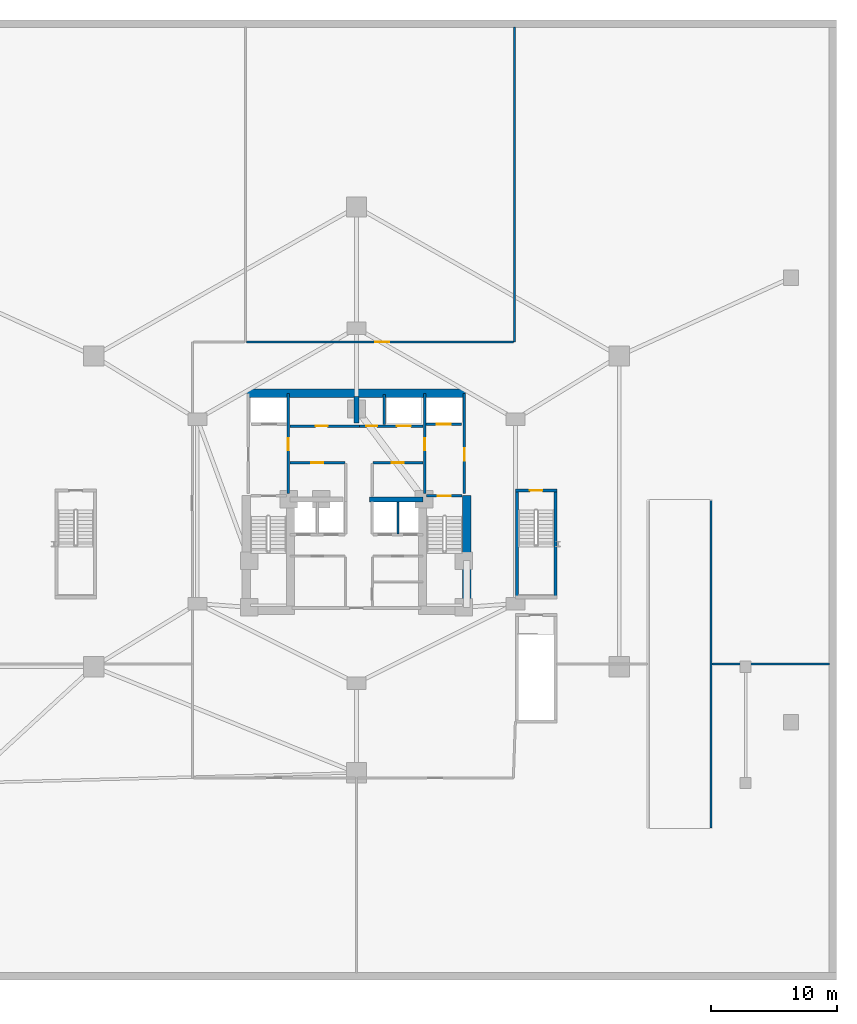
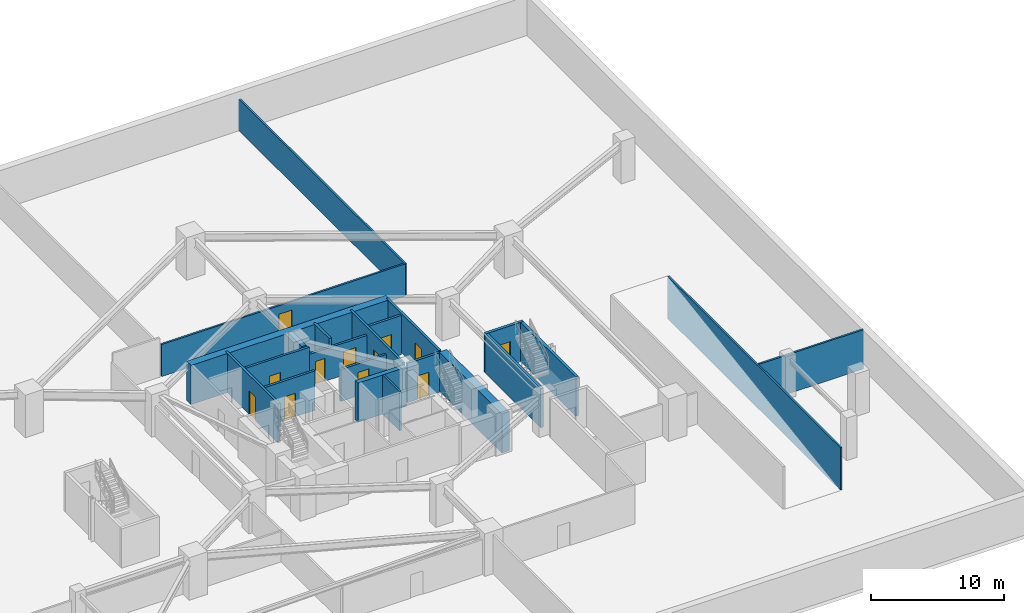
# One storey, part 8 of 10: 22 walls, 12 doors, 12 openings.
"""IFC4 building model written with IfcOpenShell, lengths in metres."""

from ifc_helpers import new_model, si_unit, direction, frame, frame_2d, origin, place, context, subcontext, project, spatial, rectangle, extrude, material, layer, layer_set, type_object, element, fill, save


model = new_model("IFC4")

# Units and contexts
model_context = context("Model", 3, precision=1e-05, world=origin(), true_north=direction((0.0, 1.0)))
body_context = subcontext(model_context, "Body", "Model", "MODEL_VIEW")
ifc_project = project(units=[si_unit("LENGTHUNIT", "METRE"), si_unit("AREAUNIT", "SQUARE_METRE"), si_unit("VOLUMEUNIT", "CUBIC_METRE"), si_unit("PLANEANGLEUNIT", "RADIAN"), si_unit("MASSUNIT", "GRAM", prefix="KILO")], contexts=[model_context])

# Site, building, storey
site_placement = place(None, origin())
site = spatial("IfcSite", under=ifc_project, at=site_placement, CompositionType="ELEMENT")
building_placement = place(site_placement, origin())
building = spatial("IfcBuilding", under=site, at=building_placement, Name="Miruveldt Soraemaru", CompositionType="ELEMENT")
storey_placement = place(building_placement, frame((0.0, 0.0, -3.89990234375)))
storey = spatial("IfcBuildingStorey", under=building, at=storey_placement, Name="B1", CompositionType="ELEMENT", Elevation=-3.89990234375)

# Walls
ifc_material_1 = material(Name="Concrete C70/85 (70 MPa)", Category="concrete")
ifc_layer_1 = layer(ifc_material_1, 0.5, Name="Concrete C70/85 (70 MPa)", Category="concrete")
ifc_layer_set_1 = layer_set([ifc_layer_1], Name="Concrete C70/85 (70 MPa)")
wall_type_1 = type_object("IfcWallType", Name="WALL-BW-500", PredefinedType="SHEAR", material=ifc_layer_set_1)
wall_1_placement = place(storey_placement, frame((44.0, 50.10009765625, 0.0), z_axis=(0.0, 0.0, 1.0), x_axis=(0.0, 1.0, 0.0)))
element("IfcWall", 1, at=wall_1_placement, inside=storey, type_object=wall_type_1, Name="B1 Core Buttress Shear Wall BN", PredefinedType="SHEAR", context=body_context, shape_type="SweptSolid", body=[
    extrude(rectangle(XDim=2.099853515625, YDim=0.39990234375, at=frame_2d((1.0498046875, 0.0))), origin(), (0.0, 0.0, 1.0), 3.599853515625),
])
wall_2_placement = place(storey_placement, frame((45.050048828125, 44.050048828125, 0.0), z_axis=(0.0, 0.0, 1.0), x_axis=(1.0, 0.0, 0.0)))
element("IfcWall", 2, at=wall_2_placement, inside=storey, type_object=wall_type_1, Name="B1 Core Buttress Shear Wall BE", PredefinedType="SHEAR", context=body_context, shape_type="SweptSolid", body=[
    extrude(rectangle(XDim=4.199951171875, YDim=0.39990234375, at=frame_2d((2.10009765625, 0.0))), origin(), (0.0, 0.0, 1.0), 3.599853515625),
])
ifc_material_2 = material(Name="Concrete C50/60 (50 MPa)", Category="concrete")
ifc_layer_2 = layer(ifc_material_2, 0.419921875, Name="Concrete C50/60 (50 MPa)", Category="concrete")
ifc_layer_set_2 = layer_set([ifc_layer_2], Name="Concrete C50/60 (50 MPa)")
wall_type_2 = type_object("IfcWallType", Name="WALL-CW-420", PredefinedType="SHEAR", material=ifc_layer_set_2)
wall_3_placement = place(storey_placement, frame((72.080078125, 18.02001953125, 0.0), z_axis=(0.0, 0.0, 1.0), x_axis=(0.0, 1.0, 0.0)))
element("IfcWall", 3, at=wall_3_placement, inside=storey, type_object=wall_type_2, Name="B1 Car Park Ramp Shaft Structural Side Wall E", PredefinedType="SHEAR", context=body_context, shape_type="SweptSolid", body=[
    extrude(rectangle(XDim=25.9599609375, YDim=0.159912109375, at=frame_2d((12.97998046875, 0.0))), origin(), (0.0, 0.0, 1.0), 3.89990234375),
])

# Wall, opening, door
wall_4_placement = place(storey_placement, frame((56.580078125, 44.75, 0.0), z_axis=(0.0, 0.0, 1.0), x_axis=(1.0, 0.0, 0.0)))
wall_4 = element("IfcWall", 4, at=wall_4_placement, inside=storey, type_object=wall_type_2, Name="B1 Podium Garden Feature Stair ST-4 Structural Shaft Wall N", PredefinedType="SHEAR", context=body_context, shape_type="SweptSolid", body=[
    extrude(rectangle(XDim=3.2900390625, YDim=0.239990234375, at=frame_2d((1.64501953125, 0.0))), origin(), (0.0, 0.0, 1.0), 3.599853515625),
])
opening_1_placement = place(wall_4_placement, frame((1.14501953125, 0.0, 0.0)))
opening_1 = element("IfcOpeningElement", 5, at=opening_1_placement, cuts=wall_4, Name="Opening FD1", PredefinedType="OPENING", context=body_context, shape_type="SweptSolid", body=[
    extrude(rectangle(XDim=1.0, YDim=2.14990234375, at=frame_2d((0.5, 1.074951171875))), frame((0.0, 0.1298828125, 0.0), z_axis=(0.0, -1.0, 0.0), x_axis=(1.0, 0.0, 0.0)), (0.0, 0.0, 1.0), 0.260009765625),
])
ifc_material_3 = material(Name="Anodised aluminium EN AW-6063 T6", Category="aluminium")
door_type_1 = type_object("IfcDoorType", Name="DOOR-FD1-1000", OperationType="NOTDEFINED", PredefinedType="DOOR", material=ifc_material_3)
door_1_placement = place(opening_1_placement, frame((1.0, 0.0, 0.0), z_axis=(0.0, 0.0, 1.0), x_axis=(-1.0, 0.0, 0.0)))
door_1 = element("IfcDoor", 6, at=door_1_placement, inside=storey, type_object=door_type_1, Name="B1 Podium Garden Feature Stair ST-4 Fire Door", OperationType="SINGLE_SWING_LEFT", OverallHeight=2.14990234375, OverallWidth=1.0, PredefinedType="DOOR", context=body_context, shape_type="SweptSolid", body=[
    extrude(rectangle(XDim=1.0, YDim=2.14990234375, at=frame_2d((0.5, 1.074951171875))), frame((0.0, 0.02490234375, 0.0), z_axis=(0.0, -1.0, 0.0), x_axis=(1.0, 0.0, 0.0)), (0.0, 0.0, 1.0), 0.050048828125),
])
fill(opening_1, door_1)

# Walls
for number, where, z_axis, x_axis, name in (
    (7, (56.699951171875, 36.35009765625, 0.0), (0.0, 0.0, 1.0), (0.0, 1.0, 0.0), "B1 Podium Garden Feature Stair ST-4 Structural Shaft Wall W"),
    (8, (59.75, 36.35009765625, 0.0), (0.0, 0.0, 1.0), (0.0, 1.0, 0.0), "B1 Podium Garden Feature Stair ST-4 Structural Shaft Wall E"),
):
    element("IfcWall", number, at=place(storey_placement, frame(where, z_axis=z_axis, x_axis=x_axis)), inside=storey, type_object=wall_type_2, Name=name, PredefinedType="SHEAR", context=body_context, shape_type="SweptSolid", body=[
        extrude(rectangle(XDim=8.349853515625, YDim=0.239990234375, at=frame_2d((4.1748046875, 0.0))), origin(), (0.0, 0.0, 1.0), 3.599853515625),
    ])
ifc_material_4 = material(Name="Concrete C80/95 (80 MPa)", Category="concrete")
ifc_layer_3 = layer(ifc_material_4, 0.64990234375, Name="Concrete C80/95 (80 MPa)", Category="concrete")
ifc_layer_set_3 = layer_set([ifc_layer_3], Name="Concrete C80/95 (80 MPa)")
wall_type_3 = type_object("IfcWallType", Name="WALL-CW-650", PredefinedType="SHEAR", material=ifc_layer_set_3)
wall_5_placement = place(storey_placement, frame((35.35009765625, 52.449951171875, 0.0), z_axis=(0.0, 0.0, 1.0), x_axis=(1.0, 0.0, 0.0)))
element("IfcWall", 9, at=wall_5_placement, inside=storey, type_object=wall_type_3, Name="B1 Central Core Shear Wall N", PredefinedType="SHEAR", context=body_context, shape_type="SweptSolid", body=[
    extrude(rectangle(XDim=17.2998046875, YDim=0.64990234375, at=frame_2d((8.64990234375, 0.0))), origin(), (0.0, 0.0, 1.0), 3.599853515625),
])
wall_6_placement = place(storey_placement, frame((52.72509765625, 34.949951171875, 0.0), z_axis=(0.0, 0.0, 1.0), x_axis=(0.0, 1.0, 0.0)))
element("IfcWall", 10, at=wall_6_placement, inside=storey, type_object=wall_type_3, Name="B1 Central Core Shear Wall E1", PredefinedType="SHEAR", context=body_context, shape_type="SweptSolid", body=[
    extrude(rectangle(XDim=9.400146484375, YDim=0.64990234375, at=frame_2d((4.7001953125, 0.0))), origin(), (0.0, 0.0, 1.0), 3.599853515625),
])

# Wall, opening, door
ifc_material_5 = material(Name="Concrete C40/50 (40 MPa)", Category="concrete")
ifc_layer_4 = layer(ifc_material_5, 0.159912109375, Name="Concrete C40/50 (40 MPa)", Category="concrete")
ifc_layer_set_4 = layer_set([ifc_layer_4], Name="Concrete C40/50 (40 MPa)")
wall_type_4 = type_object("IfcWallType", Name="WALL-INT-RC160", PredefinedType="SOLIDWALL", material=ifc_layer_set_4)
wall_7_placement = place(storey_placement, frame((56.419921875, 56.5, 0.0), z_axis=(0.0, 0.0, 1.0), x_axis=(-1.0, 0.0, 0.0)))
wall_7 = element("IfcWall", 11, at=wall_7_placement, inside=storey, type_object=wall_type_4, Name="B1 Partition Wall 6", PredefinedType="SOLIDWALL", context=body_context, shape_type="SweptSolid", body=[
    extrude(rectangle(XDim=21.139892578125, YDim=0.159912109375, at=frame_2d((10.56982421875, 0.0))), origin(), (0.0, 0.0, 1.0), 2.93798828125),
])
opening_2_placement = place(wall_7_placement, frame((9.840087890625, 0.0, 0.0)))
opening_2 = element("IfcOpeningElement", 12, at=opening_2_placement, cuts=wall_7, Name="Opening FD1A", PredefinedType="OPENING", context=body_context, shape_type="SweptSolid", body=[
    extrude(rectangle(XDim=1.10009765625, YDim=2.14990234375, at=frame_2d((0.550048828125, 1.074951171875))), frame((0.0, 0.08984375, 0.0), z_axis=(0.0, -1.0, 0.0), x_axis=(1.0, 0.0, 0.0)), (0.0, 0.0, 1.0), 0.179931640625),
])
door_type_2 = type_object("IfcDoorType", Name="DOOR-FD1-1100", OperationType="NOTDEFINED", PredefinedType="DOOR", material=ifc_material_3)
door_2_placement = place(opening_2_placement, origin())
door_2 = element("IfcDoor", 13, at=door_2_placement, inside=storey, type_object=door_type_2, Name="B1 B1 District Heating Exchange Plant Room Fire Door", OperationType="SINGLE_SWING_RIGHT", OverallHeight=2.14990234375, OverallWidth=1.10009765625, PredefinedType="DOOR", context=body_context, shape_type="SweptSolid", body=[
    extrude(rectangle(XDim=1.10009765625, YDim=2.14990234375, at=frame_2d((0.550048828125, 1.074951171875))), frame((0.0, 0.02490234375, 0.0), z_axis=(0.0, -1.0, 0.0), x_axis=(1.0, 0.0, 0.0)), (0.0, 0.0, 1.0), 0.050048828125),
])
fill(opening_2, door_2)

# Walls
wall_8_placement = place(storey_placement, frame((56.5, 56.5, 0.0), z_axis=(0.0, 0.0, 1.0), x_axis=(0.0, 1.0, 0.0)))
element("IfcWall", 14, at=wall_8_placement, inside=storey, type_object=wall_type_4, Name="B1 Partition Wall 12", PredefinedType="SOLIDWALL", context=body_context, shape_type="SweptSolid", body=[
    extrude(rectangle(XDim=24.949951171875, YDim=0.159912109375, at=frame_2d((12.47509765625, 0.0))), origin(), (0.0, 0.0, 1.0), 2.887939453125),
])
wall_9_placement = place(storey_placement, frame((81.449951171875, 31.0, 0.0), z_axis=(0.0, 0.0, 1.0), x_axis=(-1.0, 0.0, 0.0)))
element("IfcWall", 15, at=wall_9_placement, inside=storey, type_object=wall_type_4, Name="B1 Partition Wall 9", PredefinedType="SOLIDWALL", context=body_context, shape_type="SweptSolid", body=[
    extrude(rectangle(XDim=9.2939453125, YDim=0.159912109375, at=frame_2d((4.64697265625, 0.0))), origin(), (0.0, 0.0, 1.0), 3.599853515625),
])
wall_10_placement = place(storey_placement, frame((47.280029296875, 41.320068359375, 0.0), z_axis=(0.0, 0.0, 1.0), x_axis=(0.0, 1.0, 0.0)))
element("IfcWall", 16, at=wall_10_placement, inside=storey, type_object=wall_type_4, Name="B1 Core Compartment Wall PLL-DE", PredefinedType="SOLIDWALL", context=body_context, shape_type="SweptSolid", body=[
    extrude(rectangle(XDim=2.530029296875, YDim=0.159912109375, at=frame_2d((1.26513671875, 0.0))), origin(), (0.0, 0.0, 1.0), 3.599853515625),
])

# Wall, opening, door
ifc_layer_5 = layer(ifc_material_5, 0.199951171875, Name="Concrete C40/50 (40 MPa)", Category="concrete")
ifc_layer_set_5 = layer_set([ifc_layer_5], Name="Concrete C40/50 (40 MPa)")
wall_type_5 = type_object("IfcWallType", Name="WALL-INT-RC200", PredefinedType="SOLIDWALL", material=ifc_layer_set_5)
wall_11_placement = place(storey_placement, frame((52.550048828125, 44.5, 0.0), z_axis=(0.0, 0.0, 1.0), x_axis=(0.0, 1.0, 0.0)))
wall_11 = element("IfcWall", 17, at=wall_11_placement, inside=storey, type_object=wall_type_5, Name="B1 Core Compartment Wall FFE-OUT", PredefinedType="SOLIDWALL", context=body_context, shape_type="SweptSolid", body=[
    extrude(rectangle(XDim=7.919921875, YDim=0.199951171875, at=frame_2d((3.9599609375, 0.0))), origin(), (0.0, 0.0, 1.0), 3.599853515625),
])
opening_3_placement = place(wall_11_placement, frame((2.60009765625, 0.0, 0.0)))
opening_3 = element("IfcOpeningElement", 18, at=opening_3_placement, cuts=wall_11, Name="Opening FD1", PredefinedType="OPENING", context=body_context, shape_type="SweptSolid", body=[
    extrude(rectangle(XDim=1.0, YDim=2.14990234375, at=frame_2d((0.5, 1.074951171875))), frame((0.0, 0.10986328125, 0.0), z_axis=(0.0, -1.0, 0.0), x_axis=(1.0, 0.0, 0.0)), (0.0, 0.0, 1.0), 0.219970703125),
])
door_3_placement = place(opening_3_placement, frame((1.0, 0.0, 0.0), z_axis=(0.0, 0.0, 1.0), x_axis=(-1.0, 0.0, 0.0)))
door_3 = element("IfcDoor", 19, at=door_3_placement, inside=storey, type_object=door_type_1, Name="B1 East Firefighting Lobby Exit Door", OperationType="SINGLE_SWING_RIGHT", OverallHeight=2.14990234375, OverallWidth=1.0, PredefinedType="DOOR", context=body_context, shape_type="SweptSolid", body=[
    extrude(rectangle(XDim=1.0, YDim=2.14990234375, at=frame_2d((0.5, 1.074951171875))), frame((0.0, 0.02490234375, 0.0), z_axis=(0.0, -1.0, 0.0), x_axis=(1.0, 0.0, 0.0)), (0.0, 0.0, 1.0), 0.050048828125),
])
fill(opening_3, door_3)

wall_12_placement = place(storey_placement, frame((38.60009765625, 44.5, 0.0), z_axis=(0.0, 0.0, 1.0), x_axis=(0.0, 1.0, 0.0)))
wall_12 = element("IfcWall", 20, at=wall_12_placement, inside=storey, type_object=wall_type_5, Name="B1 Core Compartment Wall FFW-IN", PredefinedType="SOLIDWALL", context=body_context, shape_type="SweptSolid", body=[
    extrude(rectangle(XDim=7.919921875, YDim=0.199951171875, at=frame_2d((3.9599609375, 0.0))), origin(), (0.0, 0.0, 1.0), 3.599853515625),
])
opening_4_placement = place(wall_12_placement, frame((3.425048828125, 0.0, 0.0)))
opening_4 = element("IfcOpeningElement", 21, at=opening_4_placement, cuts=wall_12, Name="Opening FD2", PredefinedType="OPENING", context=body_context, shape_type="SweptSolid", body=[
    extrude(rectangle(XDim=0.949951171875, YDim=2.14990234375, at=frame_2d((0.47509765625, 1.074951171875))), frame((0.0, 0.10986328125, 0.0), z_axis=(0.0, -1.0, 0.0), x_axis=(1.0, 0.0, 0.0)), (0.0, 0.0, 1.0), 0.219970703125),
])
door_type_3 = type_object("IfcDoorType", Name="DOOR-FD2-950", OperationType="NOTDEFINED", PredefinedType="DOOR", material=ifc_material_3)
door_4_placement = place(opening_4_placement, frame((0.949951171875, 0.0, 0.0), z_axis=(0.0, 0.0, 1.0), x_axis=(-1.0, 0.0, 0.0)))
door_4 = element("IfcDoor", 22, at=door_4_placement, inside=storey, type_object=door_type_3, Name="B1 Lift Lobby to West Fire Lobby Door", OperationType="SINGLE_SWING_RIGHT", OverallHeight=2.14990234375, OverallWidth=0.949951171875, PredefinedType="DOOR", context=body_context, shape_type="SweptSolid", body=[
    extrude(rectangle(XDim=0.949951171875, YDim=2.14990234375, at=frame_2d((0.47509765625, 1.074951171875))), frame((0.0, 0.02490234375, 0.0), z_axis=(0.0, -1.0, 0.0), x_axis=(1.0, 0.0, 0.0)), (0.0, 0.0, 1.0), 0.050048828125),
])
fill(opening_4, door_4)

wall_13_placement = place(storey_placement, frame((49.39990234375, 44.5, 0.0), z_axis=(0.0, 0.0, 1.0), x_axis=(0.0, 1.0, 0.0)))
wall_13 = element("IfcWall", 23, at=wall_13_placement, inside=storey, type_object=wall_type_5, Name="B1 Core Compartment Wall FFE-IN", PredefinedType="SOLIDWALL", context=body_context, shape_type="SweptSolid", body=[
    extrude(rectangle(XDim=7.919921875, YDim=0.199951171875, at=frame_2d((3.9599609375, 0.0))), origin(), (0.0, 0.0, 1.0), 3.599853515625),
])
opening_5_placement = place(wall_13_placement, frame((3.425048828125, 0.0, 0.0)))
opening_5 = element("IfcOpeningElement", 24, at=opening_5_placement, cuts=wall_13, Name="Opening FD2", PredefinedType="OPENING", context=body_context, shape_type="SweptSolid", body=[
    extrude(rectangle(XDim=0.949951171875, YDim=2.14990234375, at=frame_2d((0.47509765625, 1.074951171875))), frame((0.0, 0.10986328125, 0.0), z_axis=(0.0, -1.0, 0.0), x_axis=(1.0, 0.0, 0.0)), (0.0, 0.0, 1.0), 0.219970703125),
])
door_5_placement = place(opening_5_placement, origin())
door_5 = element("IfcDoor", 25, at=door_5_placement, inside=storey, type_object=door_type_3, Name="B1 Lift Lobby to East Fire Lobby Door", OperationType="SINGLE_SWING_LEFT", OverallHeight=2.14990234375, OverallWidth=0.949951171875, PredefinedType="DOOR", context=body_context, shape_type="SweptSolid", body=[
    extrude(rectangle(XDim=0.949951171875, YDim=2.14990234375, at=frame_2d((0.47509765625, 1.074951171875))), frame((0.0, 0.02490234375, 0.0), z_axis=(0.0, -1.0, 0.0), x_axis=(1.0, 0.0, 0.0)), (0.0, 0.0, 1.0), 0.050048828125),
])
fill(opening_5, door_5)

wall_14_placement = place(storey_placement, frame((38.75, 49.85009765625, 0.0), z_axis=(0.0, 0.0, 1.0), x_axis=(1.0, 0.0, 0.0)))
wall_14 = element("IfcWall", 26, at=wall_14_placement, inside=storey, type_object=wall_type_5, Name="B1 Core Compartment Wall ROWA-SW", PredefinedType="SOLIDWALL", context=body_context, shape_type="SweptSolid", body=[
    extrude(rectangle(XDim=5.5, YDim=0.199951171875, at=frame_2d((2.75, 0.0))), origin(), (0.0, 0.0, 1.0), 3.599853515625),
])
opening_6_placement = place(wall_14_placement, frame((2.02490234375, 0.0, 0.0)))
opening_6 = element("IfcOpeningElement", 27, at=opening_6_placement, cuts=wall_14, Name="Opening FD2", PredefinedType="OPENING", context=body_context, shape_type="SweptSolid", body=[
    extrude(rectangle(XDim=0.949951171875, YDim=2.14990234375, at=frame_2d((0.47509765625, 1.074951171875))), frame((0.0, 0.10986328125, 0.0), z_axis=(0.0, -1.0, 0.0), x_axis=(1.0, 0.0, 0.0)), (0.0, 0.0, 1.0), 0.219970703125),
])
door_6_placement = place(opening_6_placement, origin())
door_6 = element("IfcDoor", 28, at=door_6_placement, inside=storey, type_object=door_type_3, Name="B1 Fire Door", OperationType="SINGLE_SWING_LEFT", OverallHeight=2.14990234375, OverallWidth=0.949951171875, PredefinedType="DOOR", context=body_context, shape_type="SweptSolid", body=[
    extrude(rectangle(XDim=0.949951171875, YDim=2.14990234375, at=frame_2d((0.47509765625, 1.074951171875))), frame((0.0, 0.02490234375, 0.0), z_axis=(0.0, -1.0, 0.0), x_axis=(1.0, 0.0, 0.0)), (0.0, 0.0, 1.0), 0.050048828125),
])
fill(opening_6, door_6)

# Wall, openings, doors
wall_15_placement = place(storey_placement, frame((44.25, 49.85009765625, 0.0), z_axis=(0.0, 0.0, 1.0), x_axis=(1.0, 0.0, 0.0)))
wall_15 = element("IfcWall", 29, at=wall_15_placement, inside=storey, type_object=wall_type_5, Name="B1 Core Compartment Wall ROWA-SE", PredefinedType="SOLIDWALL", context=body_context, shape_type="SweptSolid", body=[
    extrude(rectangle(XDim=5.0, YDim=0.199951171875, at=frame_2d((2.5, 0.0))), origin(), (0.0, 0.0, 1.0), 2.93798828125),
])
opening_7_placement = place(wall_15_placement, frame((0.52490234375, 0.0, 0.0)))
opening_7 = element("IfcOpeningElement", 30, at=opening_7_placement, cuts=wall_15, Name="Opening FD3", PredefinedType="OPENING", context=body_context, shape_type="SweptSolid", body=[
    extrude(rectangle(XDim=0.85009765625, YDim=2.10009765625, at=frame_2d((0.425048828125, 1.050048828125))), frame((0.0, 0.10986328125, 0.0), z_axis=(0.0, -1.0, 0.0), x_axis=(1.0, 0.0, 0.0)), (0.0, 0.0, 1.0), 0.219970703125),
])
opening_8_placement = place(wall_15_placement, frame((2.949951171875, 0.0, 0.0)))
opening_8 = element("IfcOpeningElement", 31, at=opening_8_placement, cuts=wall_15, Name="Opening LD2", PredefinedType="OPENING", context=body_context, shape_type="SweptSolid", body=[
    extrude(rectangle(XDim=1.10009765625, YDim=2.14990234375, at=frame_2d((0.550048828125, 1.074951171875))), frame((0.0, 0.10986328125, 0.0), z_axis=(0.0, -1.0, 0.0), x_axis=(1.0, 0.0, 0.0)), (0.0, 0.0, 1.0), 0.219970703125),
])
door_type_4 = type_object("IfcDoorType", Name="DOOR-FD3-850", OperationType="NOTDEFINED", PredefinedType="DOOR", material=ifc_material_3)
door_7_placement = place(opening_7_placement, origin())
door_7 = element("IfcDoor", 32, at=door_7_placement, inside=storey, type_object=door_type_4, Name="B1 Fire Door", OperationType="SINGLE_SWING_LEFT", OverallHeight=2.10009765625, OverallWidth=0.85009765625, PredefinedType="DOOR", context=body_context, shape_type="SweptSolid", body=[
    extrude(rectangle(XDim=0.85009765625, YDim=2.10009765625, at=frame_2d((0.425048828125, 1.050048828125))), frame((0.0, 0.02490234375, 0.0), z_axis=(0.0, -1.0, 0.0), x_axis=(1.0, 0.0, 0.0)), (0.0, 0.0, 1.0), 0.050048828125),
])
fill(opening_7, door_7)
door_type_5 = type_object("IfcDoorType", Name="DOOR-LD2-1100", OperationType="SLIDING_TO_LEFT", PredefinedType="DOOR", material=ifc_material_3)
door_8_placement = place(opening_8_placement, origin())
door_8 = element("IfcDoor", 33, at=door_8_placement, inside=storey, type_object=door_type_5, Name="B1 SL-1 Landing Door", OperationType="SLIDING_TO_LEFT", OverallHeight=2.14990234375, OverallWidth=1.10009765625, PredefinedType="DOOR", context=body_context, shape_type="SweptSolid", body=[
    extrude(rectangle(XDim=1.10009765625, YDim=2.14990234375, at=frame_2d((0.550048828125, 1.074951171875))), frame((0.0, 0.02490234375, 0.0), z_axis=(0.0, -1.0, 0.0), x_axis=(1.0, 0.0, 0.0)), (0.0, 0.0, 1.0), 0.050048828125),
])
fill(opening_8, door_8)

# Wall, opening, door
wall_16_placement = place(storey_placement, frame((38.75, 46.949951171875, 0.0), z_axis=(0.0, 0.0, 1.0), x_axis=(1.0, 0.0, 0.0)))
wall_16 = element("IfcWall", 34, at=wall_16_placement, inside=storey, type_object=wall_type_5, Name="B1 Core Compartment Wall MBW-N", PredefinedType="SOLIDWALL", context=body_context, shape_type="SweptSolid", body=[
    extrude(rectangle(XDim=4.330078125, YDim=0.199951171875, at=frame_2d((2.1650390625, 0.0))), origin(), (0.0, 0.0, 1.0), 3.599853515625),
])
opening_9_placement = place(wall_16_placement, frame((1.675048828125, 0.0, 0.0)))
opening_9 = element("IfcOpeningElement", 35, at=opening_9_placement, cuts=wall_16, Name="Opening FD2", PredefinedType="OPENING", context=body_context, shape_type="SweptSolid", body=[
    extrude(rectangle(XDim=0.949951171875, YDim=2.14990234375, at=frame_2d((0.47509765625, 1.074951171875))), frame((0.0, 0.10986328125, 0.0), z_axis=(0.0, -1.0, 0.0), x_axis=(1.0, 0.0, 0.0)), (0.0, 0.0, 1.0), 0.219970703125),
])
door_9_placement = place(opening_9_placement, origin())
door_9 = element("IfcDoor", 36, at=door_9_placement, inside=storey, type_object=door_type_3, Name="B1 Fire Door", OperationType="SINGLE_SWING_LEFT", OverallHeight=2.14990234375, OverallWidth=0.949951171875, PredefinedType="DOOR", context=body_context, shape_type="SweptSolid", body=[
    extrude(rectangle(XDim=0.949951171875, YDim=2.14990234375, at=frame_2d((0.47509765625, 1.074951171875))), frame((0.0, 0.02490234375, 0.0), z_axis=(0.0, -1.0, 0.0), x_axis=(1.0, 0.0, 0.0)), (0.0, 0.0, 1.0), 0.050048828125),
])
fill(opening_9, door_9)

wall_17_placement = place(storey_placement, frame((45.320068359375, 46.949951171875, 0.0), z_axis=(0.0, 0.0, 1.0), x_axis=(1.0, 0.0, 0.0)))
wall_17 = element("IfcWall", 37, at=wall_17_placement, inside=storey, type_object=wall_type_5, Name="B1 Core Compartment Wall MBE-N", PredefinedType="SOLIDWALL", context=body_context, shape_type="SweptSolid", body=[
    extrude(rectangle(XDim=3.929931640625, YDim=0.199951171875, at=frame_2d((1.96484375, 0.0))), origin(), (0.0, 0.0, 1.0), 2.93798828125),
])
opening_10_placement = place(wall_17_placement, frame((1.47509765625, 0.0, 0.0)))
opening_10 = element("IfcOpeningElement", 38, at=opening_10_placement, cuts=wall_17, Name="Opening FD2", PredefinedType="OPENING", context=body_context, shape_type="SweptSolid", body=[
    extrude(rectangle(XDim=0.949951171875, YDim=2.14990234375, at=frame_2d((0.47509765625, 1.074951171875))), frame((0.0, 0.10986328125, 0.0), z_axis=(0.0, -1.0, 0.0), x_axis=(1.0, 0.0, 0.0)), (0.0, 0.0, 1.0), 0.219970703125),
])
door_10_placement = place(opening_10_placement, origin())
door_10 = element("IfcDoor", 39, at=door_10_placement, inside=storey, type_object=door_type_3, Name="B1 Fire Door", OperationType="SINGLE_SWING_LEFT", OverallHeight=2.14990234375, OverallWidth=0.949951171875, PredefinedType="DOOR", context=body_context, shape_type="SweptSolid", body=[
    extrude(rectangle(XDim=0.949951171875, YDim=2.14990234375, at=frame_2d((0.47509765625, 1.074951171875))), frame((0.0, 0.02490234375, 0.0), z_axis=(0.0, -1.0, 0.0), x_axis=(1.0, 0.0, 0.0)), (0.0, 0.0, 1.0), 0.050048828125),
])
fill(opening_10, door_10)

wall_18_placement = place(storey_placement, frame((49.550048828125, 44.320068359375, 0.0), z_axis=(0.0, 0.0, 1.0), x_axis=(1.0, 0.0, 0.0)))
wall_18 = element("IfcWall", 40, at=wall_18_placement, inside=storey, type_object=wall_type_5, Name="B1 Core Compartment Wall ST2-N", PredefinedType="SOLIDWALL", context=body_context, shape_type="SweptSolid", body=[
    extrude(rectangle(XDim=2.800048828125, YDim=0.199951171875, at=frame_2d((1.39990234375, 0.0))), origin(), (0.0, 0.0, 1.0), 3.599853515625),
])
opening_11_placement = place(wall_18_placement, frame((0.89990234375, 0.0, 0.0)))
opening_11 = element("IfcOpeningElement", 41, at=opening_11_placement, cuts=wall_18, Name="Opening FD1", PredefinedType="OPENING", context=body_context, shape_type="SweptSolid", body=[
    extrude(rectangle(XDim=1.0, YDim=2.14990234375, at=frame_2d((0.5, 1.074951171875))), frame((0.0, 0.10986328125, 0.0), z_axis=(0.0, -1.0, 0.0), x_axis=(1.0, 0.0, 0.0)), (0.0, 0.0, 1.0), 0.219970703125),
])
door_11_placement = place(opening_11_placement, frame((1.0, 0.0, 0.0), z_axis=(0.0, 0.0, 1.0), x_axis=(-1.0, 0.0, 0.0)))
door_11 = element("IfcDoor", 42, at=door_11_placement, inside=storey, type_object=door_type_1, Name="B1 Stair ST-2 Fire Door", OperationType="SINGLE_SWING_RIGHT", OverallHeight=2.14990234375, OverallWidth=1.0, PredefinedType="DOOR", context=body_context, shape_type="SweptSolid", body=[
    extrude(rectangle(XDim=1.0, YDim=2.14990234375, at=frame_2d((0.5, 1.074951171875))), frame((0.0, 0.02490234375, 0.0), z_axis=(0.0, -1.0, 0.0), x_axis=(1.0, 0.0, 0.0)), (0.0, 0.0, 1.0), 0.050048828125),
])
fill(opening_11, door_11)

wall_19_placement = place(storey_placement, frame((49.52001953125, 50.0, 0.0), z_axis=(0.0, 0.0, 1.0), x_axis=(1.0, 0.0, 0.0)))
wall_19 = element("IfcWall", 43, at=wall_19_placement, inside=storey, type_object=wall_type_5, Name="B1 Core Compartment Wall FFL2-S", PredefinedType="SOLIDWALL", context=body_context, shape_type="SweptSolid", body=[
    extrude(rectangle(XDim=2.800048828125, YDim=0.199951171875, at=frame_2d((1.39990234375, 0.0))), origin(), (0.0, 0.0, 1.0), 3.599853515625),
])
opening_12_placement = place(wall_19_placement, frame((0.85009765625, 0.0, 0.0)))
opening_12 = element("IfcOpeningElement", 44, at=opening_12_placement, cuts=wall_19, Name="Opening LD2", PredefinedType="OPENING", context=body_context, shape_type="SweptSolid", body=[
    extrude(rectangle(XDim=1.10009765625, YDim=2.14990234375, at=frame_2d((0.550048828125, 1.074951171875))), frame((0.0, 0.10986328125, 0.0), z_axis=(0.0, -1.0, 0.0), x_axis=(1.0, 0.0, 0.0)), (0.0, 0.0, 1.0), 0.219970703125),
])
door_12_placement = place(opening_12_placement, origin())
door_12 = element("IfcDoor", 45, at=door_12_placement, inside=storey, type_object=door_type_5, Name="B1 FFL-2 Landing Door", OperationType="SLIDING_TO_LEFT", OverallHeight=2.14990234375, OverallWidth=1.10009765625, PredefinedType="DOOR", context=body_context, shape_type="SweptSolid", body=[
    extrude(rectangle(XDim=1.10009765625, YDim=2.14990234375, at=frame_2d((0.550048828125, 1.074951171875))), frame((0.0, 0.02490234375, 0.0), z_axis=(0.0, -1.0, 0.0), x_axis=(1.0, 0.0, 0.0)), (0.0, 0.0, 1.0), 0.050048828125),
])
fill(opening_12, door_12)

# Wall
wall_20_placement = place(storey_placement, frame((46.199951171875, 49.97998046875, 0.0), z_axis=(0.0, 0.0, 1.0), x_axis=(0.0, 1.0, 0.0)))
element("IfcWall", 46, at=wall_20_placement, inside=storey, type_object=wall_type_5, Name="B1 Core Compartment Wall BBM-DIV", PredefinedType="SOLIDWALL", context=body_context, shape_type="SweptSolid", body=[
    extrude(rectangle(XDim=2.3701171875, YDim=0.199951171875, at=frame_2d((1.18505859375, 0.0))), origin(), (0.0, 0.0, 1.0), 3.599853515625),
])

save(model, "model.ifc")
